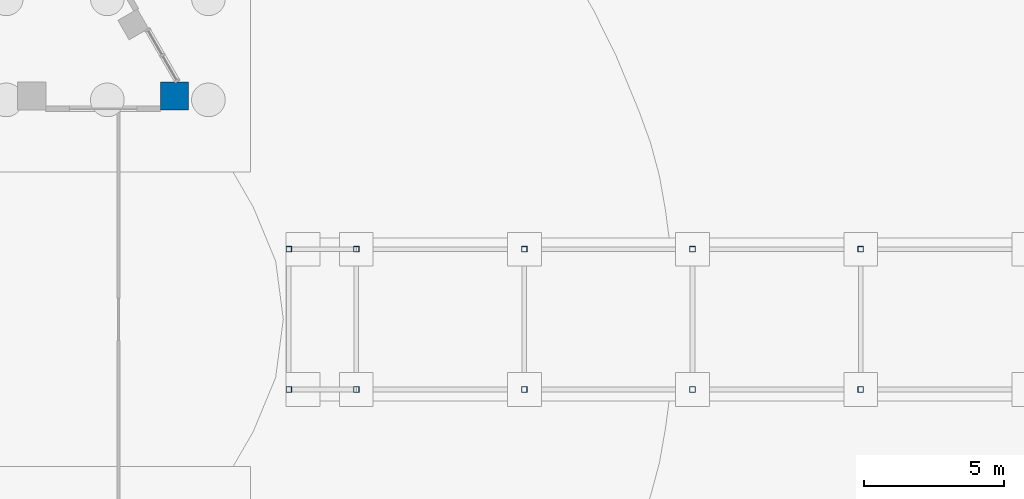
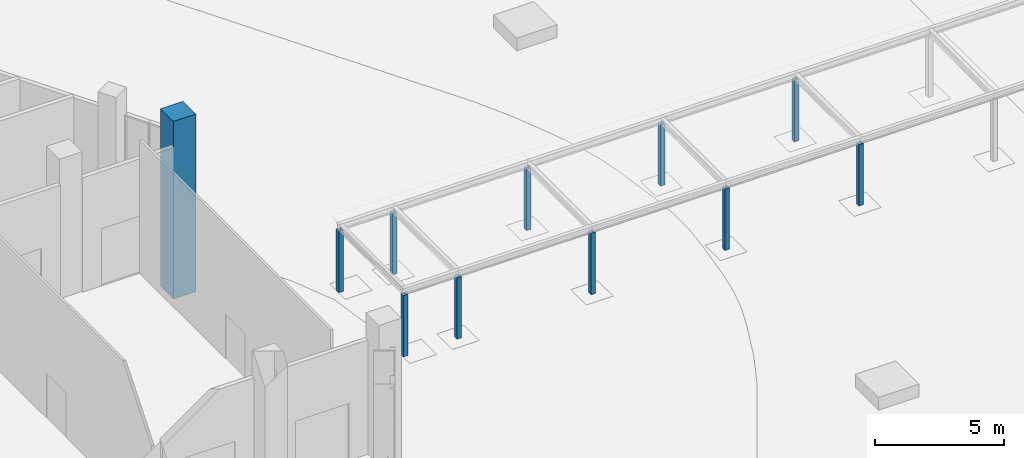
# One storey, part 4 of 44: 11 columns.
"""IFC4 building model written with IfcOpenShell, lengths in metres."""

from ifc_helpers import new_model, si_unit, direction, frame, origin, origin_2d, place, context, subcontext, project, spatial, rectangle, hollow_rectangle, extrude, material, material_profile, profile_set, type_object, element, save


model = new_model("IFC4")

# Units and contexts
model_context = context("Model", 3, precision=1e-05, world=origin(), true_north=direction((0.0, 1.0)))
body_context = subcontext(model_context, "Body", "Model", "MODEL_VIEW")
ifc_project = project(units=[si_unit("LENGTHUNIT", "METRE"), si_unit("AREAUNIT", "SQUARE_METRE"), si_unit("VOLUMEUNIT", "CUBIC_METRE"), si_unit("PLANEANGLEUNIT", "RADIAN"), si_unit("MASSUNIT", "GRAM", prefix="KILO")], contexts=[model_context])

# Site, building, storey
site_placement = place(None, origin())
site = spatial("IfcSite", under=ifc_project, at=site_placement, CompositionType="ELEMENT")
building_placement = place(site_placement, origin())
building = spatial("IfcBuilding", under=site, at=building_placement, Name="Nakaniwa Court", CompositionType="ELEMENT")
storey_placement = place(building_placement, origin())
storey = spatial("IfcBuildingStorey", under=building, at=storey_placement, Name="L00", CompositionType="ELEMENT", Elevation=0.0)

# Columns
ifc_material_1 = material(Name="Steel AS/NZS 1163 Grade C350L0", Category="steel")
ifc_material_profile_1 = material_profile(ifc_material_1, hollow_rectangle(XDim=0.199951171875, YDim=0.199951171875, WallThickness=0.009033203125, at=origin_2d()), Name="SHS 200x200x9")
ifc_profile_set_1 = profile_set([ifc_material_profile_1], Name="Steel AS/NZS 1163 Grade C350L0")
column_type_1 = type_object("IfcColumnType", Name="Canopy column SHS 200x200x9", PredefinedType="COLUMN", material=ifc_profile_set_1)
for number, where, z_axis, x_axis, name in (
    (1, (117.0673828125, 77.5, 0.0), (0.0, 0.0, 1.0), (1.0, 0.0, 0.0), "Canopy column 1S"),
    (2, (117.0673828125, 82.5, 0.0), (0.0, 0.0, 1.0), (1.0, 0.0, 0.0), "Canopy column 1N"),
    (3, (119.467529296875, 77.5, 0.0), (0.0, 0.0, 1.0), (1.0, 0.0, 0.0), "Canopy column 2S"),
    (4, (119.467529296875, 82.5, 0.0), (0.0, 0.0, 1.0), (1.0, 0.0, 0.0), "Canopy column 2N"),
    (5, (125.4541015625, 77.5, 0.0), (0.0, 0.0, 1.0), (1.0, 0.0, 0.0), "Canopy column 3S"),
    (6, (125.4541015625, 82.5, 0.0), (0.0, 0.0, 1.0), (1.0, 0.0, 0.0), "Canopy column 3N"),
    (7, (131.4404296875, 77.5, 0.0), (0.0, 0.0, 1.0), (1.0, 0.0, 0.0), "Canopy column 4S"),
    (8, (131.4404296875, 82.5, 0.0), (0.0, 0.0, 1.0), (1.0, 0.0, 0.0), "Canopy column 4N"),
    (9, (137.427001953125, 77.5, 0.0), (0.0, 0.0, 1.0), (1.0, 0.0, 0.0), "Canopy column 5S"),
    (10, (137.427001953125, 82.5, 0.0), (0.0, 0.0, 1.0), (1.0, 0.0, 0.0), "Canopy column 5N"),
):
    element("IfcColumn", number, at=place(storey_placement, frame(where, z_axis=z_axis, x_axis=x_axis)), inside=storey, type_object=column_type_1, Name=name, PredefinedType="COLUMN", context=body_context, shape_type="SweptSolid", body=[
        extrude(hollow_rectangle(XDim=0.199951171875, YDim=0.199951171875, WallThickness=0.009033203125, at=origin_2d()), origin(), (0.0, 0.0, 1.0), 2.89990234375),
    ])
ifc_material_2 = material(Name="Concrete C100/115", Category="concrete")
ifc_material_profile_2 = material_profile(ifc_material_2, rectangle(XDim=1.0, YDim=1.0, at=origin_2d()), Name="Concrete C100/115 RC 1000x1000 portal edge column")
ifc_profile_set_2 = profile_set([ifc_material_profile_2], Name="Concrete C100/115")
column_type_2 = type_object("IfcColumnType", Name="Concrete C100/115 RC 1000x1000 portal edge column", PredefinedType="COLUMN", material=ifc_profile_set_2)
column_placement = place(storey_placement, frame((112.99609375, 87.949951171875, -1.800048828125), z_axis=(0.0, 0.0, 1.0), x_axis=(1.0, 0.0, 0.0)))
element("IfcColumn", 11, at=column_placement, inside=storey, type_object=column_type_2, Name="COLUMN CP-07", PredefinedType="COLUMN", context=body_context, shape_type="SweptSolid", body=[
    extrude(rectangle(XDim=1.0, YDim=1.0, at=origin_2d()), origin(), (0.0, 0.0, 1.0), 8.400146484375),
])

save(model, "model.ifc")
